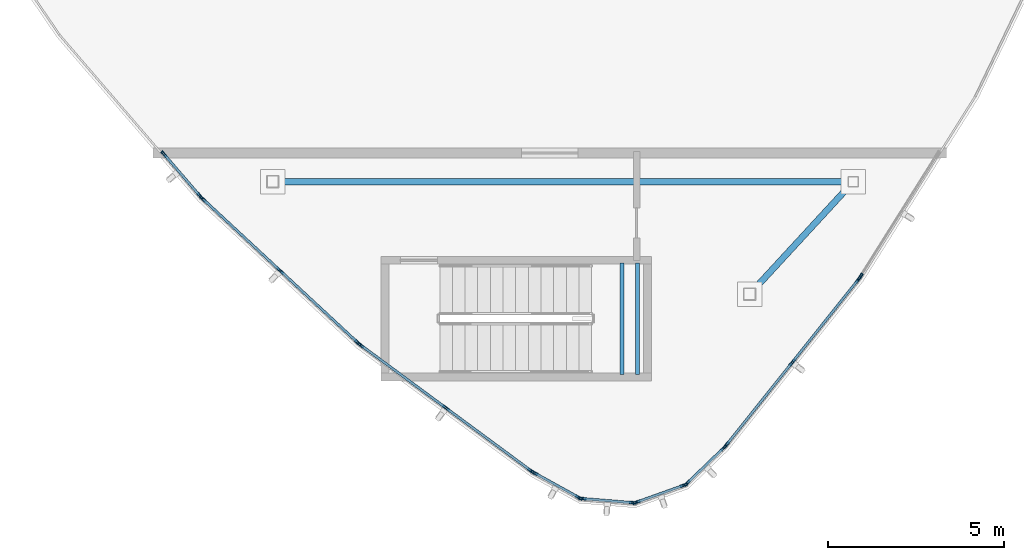
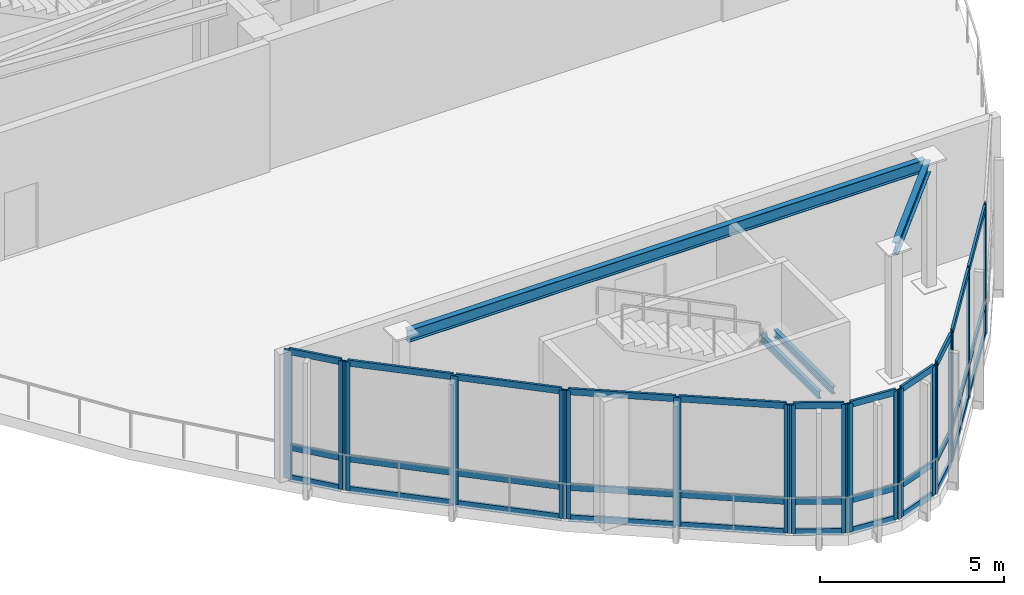
# One storey, part 2 of 16: 53 members, 4 beams, 9 elements without a shape of their own.
"""IFC4 building model written with IfcOpenShell, lengths in metres."""

import ifcopenshell
import ifcopenshell.guid

model = None  # the IFC model being written
_history = None  # IfcOwnerHistory: only IFC2X3 demands one
_inside = {}  # id of a spatial element -> (the spatial element, [elements in it])
_under = {}  # id of a project, library or spatial element -> (it, [spatial elements below it])
_declared = {}  # id of a project -> (the project, [libraries it declares])
_typed = {}  # id of a type object -> (the type object, [elements of that type])
_made_of = {}  # id of a material, layer set ... -> (it, [elements and type objects made of it])


def new_model(schema):
    """Start an empty IFC model of exactly this schema.

    Asked for "IFC4X3", IfcOpenShell would pick the latest addendum, in which some entities
    have other attributes; the version numbers below select the first issue.
    IFC2X3 requires an IfcOwnerHistory on every rooted entity: one is made here for all.
    """
    global model, _history
    if schema == "IFC4X3":
        model = ifcopenshell.file(schema_version=(4, 3, 0, 0))
    else:
        model = ifcopenshell.file(schema=schema)
    _inside.clear()
    _under.clear()
    _declared.clear()
    _typed.clear()
    _made_of.clear()
    _history = None
    if model.schema == "IFC2X3":
        org = make("IfcOrganization", Name="unknown")
        user = make(
            "IfcPersonAndOrganization",
            ThePerson=make("IfcPerson", FamilyName="unknown"),
            TheOrganization=org,
        )
        app = make(
            "IfcApplication",
            ApplicationDeveloper=org,
            Version="unknown",
            ApplicationFullName="unknown",
            ApplicationIdentifier="unknown",
        )
        _history = make(
            "IfcOwnerHistory",
            OwningUser=user,
            OwningApplication=app,
            ChangeAction="ADDED",
            CreationDate=0,
        )
    return model


def make(cls, **values):
    """One entity of the class cls with the attributes given. An attribute that is None is left unset."""
    return model.create_entity(
        cls, **{name: value for name, value in values.items() if value is not None}
    )


def rooted(cls, **values):
    """An entity with a GlobalId (a new one), such as an element, a storey or a relation."""
    return make(cls, GlobalId=ifcopenshell.guid.new(), OwnerHistory=_history, **values)


def si_unit(unit_type, name, prefix=None):
    """IfcSIUnit, for example si_unit("LENGTHUNIT", "METRE", prefix="MILLI")."""
    return make("IfcSIUnit", UnitType=unit_type, Prefix=prefix, Name=name)


def assignment(units):
    """IfcUnitAssignment: the units of a project."""
    return None if units is None else make("IfcUnitAssignment", Units=units)


def point(xyz):
    """IfcCartesianPoint."""
    return None if xyz is None else make("IfcCartesianPoint", Coordinates=xyz)


def direction(xyz):
    """IfcDirection."""
    return None if xyz is None else make("IfcDirection", DirectionRatios=xyz)


def frame(location, z_axis=None, x_axis=None):
    """IfcAxis2Placement3D, a coordinate frame: its origin and axes. An axis left out is left unset."""
    return make(
        "IfcAxis2Placement3D",
        Location=point(location),
        Axis=direction(z_axis),
        RefDirection=direction(x_axis),
    )


def frame_2d(location, x_axis=None):
    """IfcAxis2Placement2D, a coordinate frame in the plane: its origin and x axis."""
    return make(
        "IfcAxis2Placement2D", Location=point(location), RefDirection=direction(x_axis)
    )


def origin():
    """The frame at (0, 0, 0) with its axes left unset."""
    return frame((0.0, 0.0, 0.0))


def origin_2d():
    """The frame at (0, 0) in the plane with its x axis left unset."""
    return frame_2d((0.0, 0.0))


def place(relative_to, where):
    """IfcLocalPlacement: puts the frame where relative to a parent placement (None: the world)."""
    return make(
        "IfcLocalPlacement", PlacementRelTo=relative_to, RelativePlacement=where
    )


def context(
    kind, dimensions, precision=None, world=None, true_north=None, identifier=None
):
    """IfcGeometricRepresentationContext, for example the 3D "Model" context."""
    return make(
        "IfcGeometricRepresentationContext",
        ContextIdentifier=identifier,
        ContextType=kind,
        CoordinateSpaceDimension=dimensions,
        Precision=precision,
        WorldCoordinateSystem=world,
        TrueNorth=true_north,
    )


def subcontext(parent, identifier, kind, view, scale=None):
    """IfcGeometricRepresentationSubContext, for example "Body" below "Model"."""
    return make(
        "IfcGeometricRepresentationSubContext",
        ContextIdentifier=identifier,
        ContextType=kind,
        ParentContext=parent,
        TargetScale=scale,
        TargetView=view,
    )


def project(units=None, contexts=None):
    """IfcProject with its units and contexts."""
    return rooted(
        "IfcProject",
        Name="project",
        RepresentationContexts=contexts,
        UnitsInContext=assignment(units),
    )


def spatial(cls, under=None, at=None, **own):
    """A site, building, storey or space (cls), placed at a placement, below another one or the project."""
    s = rooted(cls, ObjectPlacement=at, **own)
    if under is not None:
        _under.setdefault(under.id(), (under, []))[1].append(s)
    return s


def profile(cls, at=None, kind="AREA", **sizes):
    """A parametric profile (cls). Its sizes go by their IFC names, for example OverallWidth=200.0."""
    return make(cls, ProfileType=kind, Position=at, **sizes)


def hollow_rectangle(**sizes):
    """IfcRectangleHollowProfileDef."""
    return profile("IfcRectangleHollowProfileDef", **sizes)


def i_section(**sizes):
    """IfcIShapeProfileDef."""
    return profile("IfcIShapeProfileDef", **sizes)


def extrude(swept, where, along, depth):
    """IfcExtrudedAreaSolid: the profile swept, set in the frame where, extruded along a direction by depth."""
    return make(
        "IfcExtrudedAreaSolid",
        SweptArea=swept,
        Position=where,
        ExtrudedDirection=direction(along),
        Depth=depth,
    )


def shape(context_of_items, identifier, shape_type, items):
    """IfcShapeRepresentation: the items that make up one representation, for example the "Body"."""
    return make(
        "IfcShapeRepresentation",
        ContextOfItems=context_of_items,
        RepresentationIdentifier=identifier,
        RepresentationType=shape_type,
        Items=items,
    )


def source(mapping_origin, context_of_items, identifier, shape_type, items):
    """IfcRepresentationMap: a shape defined once, which mapped items show again and again."""
    return make(
        "IfcRepresentationMap",
        MappingOrigin=mapping_origin,
        MappedRepresentation=shape(context_of_items, identifier, shape_type, items),
    )


def transform(
    local_origin,
    x_axis=None,
    y_axis=None,
    z_axis=None,
    scale=None,
    scale2=None,
    scale3=None,
    uniform=True,
):
    """IfcCartesianTransformationOperator3D, or its non-uniform kind. x_axis, y_axis, z_axis: its Axis1, 2, 3."""
    if uniform:
        return make(
            "IfcCartesianTransformationOperator3D",
            Axis1=direction(x_axis),
            Axis2=direction(y_axis),
            LocalOrigin=point(local_origin),
            Scale=scale,
            Axis3=direction(z_axis),
        )
    return make(
        "IfcCartesianTransformationOperator3DnonUniform",
        Axis1=direction(x_axis),
        Axis2=direction(y_axis),
        LocalOrigin=point(local_origin),
        Scale=scale,
        Axis3=direction(z_axis),
        Scale2=scale2,
        Scale3=scale3,
    )


def mapped(mapping_source, mapping_target):
    """IfcMappedItem: shows the shape of a source again, moved by a transform."""
    return make(
        "IfcMappedItem", MappingSource=mapping_source, MappingTarget=mapping_target
    )


def material(Name=None, Category=None):
    """IfcMaterial."""
    return make("IfcMaterial", Name=Name, Category=Category)


def layer(
    of_material, thickness, ventilated=None, Name=None, Category=None, Priority=None
):
    """IfcMaterialLayer: one layer of a wall or slab, of a material (None: an air gap)."""
    return make(
        "IfcMaterialLayer",
        Material=of_material,
        LayerThickness=thickness,
        IsVentilated=ventilated,
        Name=Name,
        Category=Category,
        Priority=Priority,
    )


def layer_set(layers, Name=None):
    """IfcMaterialLayerSet."""
    return make("IfcMaterialLayerSet", MaterialLayers=layers, LayerSetName=Name)


def material_profile(
    of_material, cross_section, Name=None, Category=None, Priority=None
):
    """IfcMaterialProfile: a cross section and its material."""
    return make(
        "IfcMaterialProfile",
        Name=Name,
        Material=of_material,
        Profile=cross_section,
        Priority=Priority,
        Category=Category,
    )


def profile_set(profiles, Name=None, composite=None):
    """IfcMaterialProfileSet."""
    return make(
        "IfcMaterialProfileSet",
        Name=Name,
        MaterialProfiles=profiles,
        CompositeProfile=composite,
    )


def made_of(thing, what):
    """Note that an element or type object is made of a material, layer set ...; save() writes the relation."""
    if what is not None:
        _made_of.setdefault(what.id(), (what, []))[1].append(thing)
    return thing


def type_object(cls, material=None, **own):
    """A type object (cls), such as IfcWallType, which elements share."""
    return made_of(rooted(cls, **own), material)


def type_shapes(of_type, sources):
    """Give a type object the sources (RepresentationMaps) that its elements show as mapped items."""
    of_type.RepresentationMaps = sources


def element(
    cls,
    number,
    at=None,
    inside=None,
    cuts=None,
    type_object=None,
    material=None,
    context=None,
    identifier="Body",
    shape_type=None,
    held_by="IfcProductDefinitionShape",
    body=None,
    shapes=None,
    **own,
):
    """One element of the class cls, such as IfcWall. Its Tag is "e" and its number.

    at: its placement. inside: the storey or other place that contains it. cuts: it is an
    opening in that element (IfcRelVoidsElement). A single representation is given by context,
    identifier, shape_type and body (its items); several are given by shapes. held_by: the class
    of the entity that holds the representations. save() writes the other relations.
    """
    e = rooted(cls, Tag="e%d" % number, ObjectPlacement=at, **own)
    if body is not None:
        shapes = [shape(context, identifier, shape_type, body)]
    if shapes is not None:
        e.Representation = make(held_by, Representations=shapes)
    if inside is not None:
        _inside.setdefault(inside.id(), (inside, []))[1].append(e)
    if cuts is not None:
        rooted(
            "IfcRelVoidsElement", RelatingBuildingElement=cuts, RelatedOpeningElement=e
        )
    if type_object is not None:
        _typed.setdefault(type_object.id(), (type_object, []))[1].append(e)
    return made_of(e, material)


def aggregate(whole, parts):
    """IfcRelAggregates: a whole, such as a stair, and the parts it consists of."""
    return rooted("IfcRelAggregates", RelatingObject=whole, RelatedObjects=parts)


def save(model, path):
    """Write the relations noted so far, then the file.

    IfcRelAggregates (storeys below a building ...), IfcRelContainedInSpatialStructure (elements
    in a storey), IfcRelDefinesByType, IfcRelAssociatesMaterial and IfcRelDeclares: one each for
    every whole, place, type object, material and project.
    """
    for whole, parts in _under.values():
        aggregate(whole, parts)
    for where, things in _inside.values():
        rooted(
            "IfcRelContainedInSpatialStructure",
            RelatedElements=things,
            RelatingStructure=where,
        )
    for kind, things in _typed.values():
        rooted("IfcRelDefinesByType", RelatedObjects=things, RelatingType=kind)
    for what, things in _made_of.values():
        rooted("IfcRelAssociatesMaterial", RelatedObjects=things, RelatingMaterial=what)
    for by, libraries in _declared.values():
        rooted("IfcRelDeclares", RelatingContext=by, RelatedDefinitions=libraries)
    model.write(path)


model = new_model("IFC4")

# Units and contexts
model_context = context("Model", 3, precision=1e-05, world=origin(), true_north=direction((0.0, 1.0)))
body_context = subcontext(model_context, "Body", "Model", "MODEL_VIEW")
ifc_project = project(units=[si_unit("LENGTHUNIT", "METRE"), si_unit("AREAUNIT", "SQUARE_METRE"), si_unit("VOLUMEUNIT", "CUBIC_METRE"), si_unit("PLANEANGLEUNIT", "RADIAN"), si_unit("MASSUNIT", "GRAM", prefix="KILO")], contexts=[model_context])

# Site, building, storey
site_placement = place(None, origin())
site = spatial("IfcSite", under=ifc_project, at=site_placement, CompositionType="ELEMENT")
building_placement = place(site_placement, origin())
building = spatial("IfcBuilding", under=site, at=building_placement, Name="Tavelor Broadcast Tower", CompositionType="ELEMENT")
storey_placement = place(building_placement, frame((0.0, 0.0, 332.10009765625)))
storey = spatial("IfcBuildingStorey", under=building, at=storey_placement, Name="L79", CompositionType="ELEMENT", Elevation=332.10009765625)

# Beams
ifc_material_1 = material(Name="Steel S355", Category="steel")
ifc_material_profile_1 = material_profile(ifc_material_1, i_section(OverallWidth=0.179931640625, OverallDepth=0.39990234375, WebThickness=0.008544921875, FlangeThickness=0.013427734375, at=origin_2d()), Name="IPE 400")
ifc_profile_set_1 = profile_set([ifc_material_profile_1], Name="Steel S355")
beam_type_1 = type_object("IfcBeamType", Name="Crown Ring Spandrel Beam IPE400", PredefinedType="SPANDREL", material=ifc_profile_set_1)
beam_1_placement = place(storey_placement, frame((52.887939453125, 27.579345703125, 4.0498046875), z_axis=(0.677758220929, 0.73528483866, 0.0), x_axis=(-0.73528483866, 0.677758220929, 0.0)))
element("IfcBeam", 1, at=beam_1_placement, inside=storey, type_object=beam_type_1, Name="L79 Crown Peak B Ring Spandrel 1", PredefinedType="SPANDREL", context=body_context, shape_type="SweptSolid", body=[
    extrude(i_section(OverallWidth=0.179931640625, OverallDepth=0.39990234375, WebThickness=0.008544921875, FlangeThickness=0.013427734375, at=origin_2d()), origin(), (0.0, 0.0, 1.0), 4.023193359375),
])
beam_2_placement = place(storey_placement, frame((55.5654296875, 30.64990234375, 4.0498046875), z_axis=(-1.0, 0.0, 0.0), x_axis=(0.0, -1.0, 0.0)))
element("IfcBeam", 2, at=beam_2_placement, inside=storey, type_object=beam_type_1, Name="L79 Crown Peak B Ring Spandrel 2", PredefinedType="SPANDREL", context=body_context, shape_type="SweptSolid", body=[
    extrude(i_section(OverallWidth=0.179931640625, OverallDepth=0.39990234375, WebThickness=0.008544921875, FlangeThickness=0.013427734375, at=origin_2d()), origin(), (0.0, 0.0, 1.0), 16.189208984375),
])
ifc_material_profile_2 = material_profile(ifc_material_1, i_section(OverallWidth=0.1201171875, OverallDepth=0.239990234375, WebThickness=0.006103515625, FlangeThickness=0.009765625, at=origin_2d()), Name="IPE 240")
ifc_profile_set_2 = profile_set([ifc_material_profile_2], Name="Steel S355")
beam_type_2 = type_object("IfcBeamType", Name="Stairwell Landing Support Trimmer Beam IPE240", PredefinedType="BEAM", material=ifc_profile_set_2)
for number, where, z_axis, x_axis, name in (
    (3, (49.135009765625, 25.159912109375, 1.98486328125), (0.0, 1.0, 0.0), (-1.0, 0.0, 0.0), "L79 Stair Landing Support Beam 491"),
    (4, (49.574951171875, 25.159912109375, 1.98486328125), (0.0, 1.0, 0.0), (-1.0, 0.0, 0.0), "L79 Stair Landing Support Beam 492"),
):
    element("IfcBeam", number, at=place(storey_placement, frame(where, z_axis=z_axis, x_axis=x_axis)), inside=storey, type_object=beam_type_2, Name=name, PredefinedType="BEAM", context=body_context, shape_type="SweptSolid", body=[
        extrude(i_section(OverallWidth=0.1201171875, OverallDepth=0.239990234375, WebThickness=0.006103515625, FlangeThickness=0.009765625, at=origin_2d()), origin(), (0.0, 0.0, 1.0), 3.18017578125),
    ])

# Curtain wall, members
ifc_material_2 = material(Name="Architectural Anodized Aluminium", Category="aluminium")
ifc_layer = layer(ifc_material_2, 0.2099609375)
ifc_layer_set = layer_set([ifc_layer], Name="Architectural Anodized Aluminium")
curtain_wall_type = type_object("IfcCurtainWallType", Name="Split-Crown Beacon Curtain Wall CW06", PredefinedType="NOTDEFINED", material=ifc_layer_set)
curtain_wall_1_placement = place(storey_placement, origin())
curtain_wall_1 = element("IfcCurtainWall", 5, at=curtain_wall_1_placement, inside=storey, type_object=curtain_wall_type, Name="L79 Curtain Wall CW06 Run 894", PredefinedType="NOTDEFINED")
ifc_material_profile_3 = material_profile(ifc_material_2, hollow_rectangle(XDim=0.072021484375, YDim=0.2099609375, WallThickness=0.02197265625, at=origin_2d()), Name="RHS 72x210x22")
ifc_profile_set_3 = profile_set([ifc_material_profile_3], Name="Architectural Anodized Aluminium")
member_type_1 = type_object("IfcMemberType", Name="CW06 Extruded Aluminium Mullion 72x210", PredefinedType="MULLION", material=ifc_profile_set_3)
shared_shape_1 = source(origin(), body_context, "Body", "SweptSolid", [
    extrude(hollow_rectangle(XDim=0.072021484375, YDim=0.2099609375, WallThickness=0.02197265625, at=origin_2d()), origin(), (0.0, 0.0, 1.0), 4.25),
])
type_shapes(member_type_1, [shared_shape_1])
member_1_placement = place(storey_placement, frame((36.103271484375, 31.4326171875, 0.0), z_axis=(0.0, 0.0, 1.0), x_axis=(0.757932063315, 0.652333494003, 0.0)))
member_1 = element("IfcMember", 6, at=member_1_placement, type_object=member_type_1, Name="CW06 mullion 1", PredefinedType="MULLION", context=body_context, shape_type="MappedRepresentation", body=[
    mapped(shared_shape_1, transform((0.0, 0.0, 0.0), scale=1.0)),
])
member_2_placement = place(storey_placement, frame((37.1318359375, 30.23779296875, 0.0), z_axis=(0.0, 0.0, 1.0), x_axis=(0.757932063315, 0.652333494003, 0.0)))
member_2 = element("IfcMember", 7, at=member_2_placement, type_object=member_type_1, Name="CW06 mullion 2", PredefinedType="MULLION", context=body_context, shape_type="MappedRepresentation", body=[
    mapped(shared_shape_1, transform((0.0, 0.0, 0.0), scale=1.0)),
])

curtain_wall_2_placement = place(storey_placement, origin())
curtain_wall_2 = element("IfcCurtainWall", 8, at=curtain_wall_2_placement, inside=storey, type_object=curtain_wall_type, Name="L79 Curtain Wall CW06 Run 895", PredefinedType="NOTDEFINED")
member_3_placement = place(storey_placement, frame((37.20263671875, 30.164306640625, 0.0), z_axis=(0.0, 0.0, 1.0), x_axis=(0.680102687639, 0.733116862626, 0.0)))
member_3 = element("IfcMember", 9, at=member_3_placement, type_object=member_type_1, Name="CW06 mullion 1", PredefinedType="MULLION", context=body_context, shape_type="MappedRepresentation", body=[
    mapped(shared_shape_1, transform((0.0, 0.0, 0.0), scale=1.0)),
])
member_4_placement = place(storey_placement, frame((39.412353515625, 28.114501953125, 0.0), z_axis=(0.0, 0.0, 1.0), x_axis=(0.680102687639, 0.733116862626, 0.0)))
member_4 = element("IfcMember", 10, at=member_4_placement, type_object=member_type_1, Name="CW06 mullion 2", PredefinedType="MULLION", context=body_context, shape_type="MappedRepresentation", body=[
    mapped(shared_shape_1, transform((0.0, 0.0, 0.0), scale=1.0)),
])
member_5_placement = place(storey_placement, frame((41.6220703125, 26.064453125, 0.0), z_axis=(0.0, 0.0, 1.0), x_axis=(0.680102687639, 0.733116862626, 0.0)))
member_5 = element("IfcMember", 11, at=member_5_placement, type_object=member_type_1, Name="CW06 mullion 3", PredefinedType="MULLION", context=body_context, shape_type="MappedRepresentation", body=[
    mapped(shared_shape_1, transform((0.0, 0.0, 0.0), scale=1.0)),
])

curtain_wall_3_placement = place(storey_placement, origin())
curtain_wall_3 = element("IfcCurtainWall", 12, at=curtain_wall_3_placement, inside=storey, type_object=curtain_wall_type, Name="L79 Curtain Wall CW06 Run 896", PredefinedType="NOTDEFINED")
member_6_placement = place(storey_placement, frame((41.700439453125, 25.99951171875, 0.0), z_axis=(0.0, 0.0, 1.0), x_axis=(0.593701165869, 0.80468560671, 0.0)))
member_6 = element("IfcMember", 13, at=member_6_placement, type_object=member_type_1, Name="CW06 mullion 1", PredefinedType="MULLION", context=body_context, shape_type="MappedRepresentation", body=[
    mapped(shared_shape_1, transform((0.0, 0.0, 0.0), scale=1.0)),
])
member_7_placement = place(storey_placement, frame((44.125244140625, 24.21044921875, 0.0), z_axis=(0.0, 0.0, 1.0), x_axis=(0.593701165869, 0.80468560671, 0.0)))
member_7 = element("IfcMember", 14, at=member_7_placement, type_object=member_type_1, Name="CW06 mullion 2", PredefinedType="MULLION", context=body_context, shape_type="MappedRepresentation", body=[
    mapped(shared_shape_1, transform((0.0, 0.0, 0.0), scale=1.0)),
])
member_8_placement = place(storey_placement, frame((46.55029296875, 22.42138671875, 0.0), z_axis=(0.0, 0.0, 1.0), x_axis=(0.593701165869, 0.80468560671, 0.0)))
member_8 = element("IfcMember", 15, at=member_8_placement, type_object=member_type_1, Name="CW06 mullion 3", PredefinedType="MULLION", context=body_context, shape_type="MappedRepresentation", body=[
    mapped(shared_shape_1, transform((0.0, 0.0, 0.0), scale=1.0)),
])

curtain_wall_4_placement = place(storey_placement, origin())
curtain_wall_4 = element("IfcCurtainWall", 16, at=curtain_wall_4_placement, inside=storey, type_object=curtain_wall_type, Name="L79 Curtain Wall CW06 Run 897", PredefinedType="NOTDEFINED")
member_9_placement = place(storey_placement, frame((46.635986328125, 22.3662109375, 0.0), z_axis=(0.0, 0.0, 1.0), x_axis=(0.484000738847, 0.875067588701, 0.0)))
member_9 = element("IfcMember", 17, at=member_9_placement, type_object=member_type_1, Name="CW06 mullion 1", PredefinedType="MULLION", context=body_context, shape_type="MappedRepresentation", body=[
    mapped(shared_shape_1, transform((0.0, 0.0, 0.0), scale=1.0)),
])
member_10_placement = place(storey_placement, frame((47.912841796875, 21.659912109375, 0.0), z_axis=(0.0, 0.0, 1.0), x_axis=(0.484000738847, 0.875067588701, 0.0)))
member_10 = element("IfcMember", 18, at=member_10_placement, type_object=member_type_1, Name="CW06 mullion 2", PredefinedType="MULLION", context=body_context, shape_type="MappedRepresentation", body=[
    mapped(shared_shape_1, transform((0.0, 0.0, 0.0), scale=1.0)),
])

curtain_wall_5_placement = place(storey_placement, origin())
curtain_wall_5 = element("IfcCurtainWall", 19, at=curtain_wall_5_placement, inside=storey, type_object=curtain_wall_type, Name="L79 Curtain Wall CW06 Run 898", PredefinedType="NOTDEFINED")
member_11_placement = place(storey_placement, frame((48.00830078125, 21.631103515625, 0.0), z_axis=(0.0, 0.0, 1.0), x_axis=(0.081045211043, 0.996710426236, 0.0)))
member_11 = element("IfcMember", 20, at=member_11_placement, type_object=member_type_1, Name="CW06 mullion 1", PredefinedType="MULLION", context=body_context, shape_type="MappedRepresentation", body=[
    mapped(shared_shape_1, transform((0.0, 0.0, 0.0), scale=1.0)),
])
member_12_placement = place(storey_placement, frame((49.441650390625, 21.5146484375, 0.0), z_axis=(0.0, 0.0, 1.0), x_axis=(0.081045211043, 0.996710426236, 0.0)))
member_12 = element("IfcMember", 21, at=member_12_placement, type_object=member_type_1, Name="CW06 mullion 2", PredefinedType="MULLION", context=body_context, shape_type="MappedRepresentation", body=[
    mapped(shared_shape_1, transform((0.0, 0.0, 0.0), scale=1.0)),
])

curtain_wall_6_placement = place(storey_placement, origin())
curtain_wall_6 = element("IfcCurtainWall", 22, at=curtain_wall_6_placement, inside=storey, type_object=curtain_wall_type, Name="L79 Curtain Wall CW06 Run 899", PredefinedType="NOTDEFINED")
member_13_placement = place(storey_placement, frame((49.54052734375, 21.527587890625, 0.0), z_axis=(0.0, 0.0, 1.0), x_axis=(-0.336319617795, 0.941747903999, 0.0)))
member_13 = element("IfcMember", 23, at=member_13_placement, type_object=member_type_1, Name="CW06 mullion 1", PredefinedType="MULLION", context=body_context, shape_type="MappedRepresentation", body=[
    mapped(shared_shape_1, transform((0.0, 0.0, 0.0), scale=1.0)),
])
member_14_placement = place(storey_placement, frame((50.894775390625, 22.01123046875, 0.0), z_axis=(0.0, 0.0, 1.0), x_axis=(-0.336319617795, 0.941747903999, 0.0)))
member_14 = element("IfcMember", 24, at=member_14_placement, type_object=member_type_1, Name="CW06 mullion 2", PredefinedType="MULLION", context=body_context, shape_type="MappedRepresentation", body=[
    mapped(shared_shape_1, transform((0.0, 0.0, 0.0), scale=1.0)),
])

curtain_wall_7_placement = place(storey_placement, origin())
curtain_wall_7 = element("IfcCurtainWall", 25, at=curtain_wall_7_placement, inside=storey, type_object=curtain_wall_type, Name="L79 Curtain Wall CW06 Run 900", PredefinedType="NOTDEFINED")
member_15_placement = place(storey_placement, frame((50.979736328125, 22.063720703125, 0.0), z_axis=(0.0, 0.0, 1.0), x_axis=(-0.693957885319, 0.720015592472, 0.0)))
member_15 = element("IfcMember", 26, at=member_15_placement, type_object=member_type_1, Name="CW06 mullion 1", PredefinedType="MULLION", context=body_context, shape_type="MappedRepresentation", body=[
    mapped(shared_shape_1, transform((0.0, 0.0, 0.0), scale=1.0)),
])
member_16_placement = place(storey_placement, frame((52.0302734375, 23.076416015625, 0.0), z_axis=(0.0, 0.0, 1.0), x_axis=(-0.693957885319, 0.720015592472, 0.0)))
member_16 = element("IfcMember", 27, at=member_16_placement, type_object=member_type_1, Name="CW06 mullion 2", PredefinedType="MULLION", context=body_context, shape_type="MappedRepresentation", body=[
    mapped(shared_shape_1, transform((0.0, 0.0, 0.0), scale=1.0)),
])

curtain_wall_8_placement = place(storey_placement, origin())
curtain_wall_8 = element("IfcCurtainWall", 28, at=curtain_wall_8_placement, inside=storey, type_object=curtain_wall_type, Name="L79 Curtain Wall CW06 Run 901", PredefinedType="NOTDEFINED")
member_17_placement = place(storey_placement, frame((52.0986328125, 23.15185546875, 0.0), z_axis=(0.0, 0.0, 1.0), x_axis=(-0.781735053161, 0.623610701207, 0.0)))
member_17 = element("IfcMember", 29, at=member_17_placement, type_object=member_type_1, Name="CW06 mullion 1", PredefinedType="MULLION", context=body_context, shape_type="MappedRepresentation", body=[
    mapped(shared_shape_1, transform((0.0, 0.0, 0.0), scale=1.0)),
])
member_18_placement = place(storey_placement, frame((53.97802734375, 25.507568359375, 0.0), z_axis=(0.0, 0.0, 1.0), x_axis=(-0.781735053161, 0.623610701207, 0.0)))
member_18 = element("IfcMember", 30, at=member_18_placement, type_object=member_type_1, Name="CW06 mullion 2", PredefinedType="MULLION", context=body_context, shape_type="MappedRepresentation", body=[
    mapped(shared_shape_1, transform((0.0, 0.0, 0.0), scale=1.0)),
])
member_19_placement = place(storey_placement, frame((55.857177734375, 27.86328125, 0.0), z_axis=(0.0, 0.0, 1.0), x_axis=(-0.781735053161, 0.623610701207, 0.0)))
member_19 = element("IfcMember", 31, at=member_19_placement, type_object=member_type_1, Name="CW06 mullion 3", PredefinedType="MULLION", context=body_context, shape_type="MappedRepresentation", body=[
    mapped(shared_shape_1, transform((0.0, 0.0, 0.0), scale=1.0)),
])

# Curtain wall, member
curtain_wall_9_placement = place(storey_placement, origin())
curtain_wall_9 = element("IfcCurtainWall", 32, at=curtain_wall_9_placement, inside=storey, type_object=curtain_wall_type, Name="L79 Curtain Wall CW06 Run 902", PredefinedType="NOTDEFINED")
member_20_placement = place(storey_placement, frame((55.916259765625, 27.9462890625, 0.0), z_axis=(0.0, 0.0, 1.0), x_axis=(-0.84667099094, 0.532116747623, 0.0)))
member_20 = element("IfcMember", 33, at=member_20_placement, type_object=member_type_1, Name="CW06 mullion 1", PredefinedType="MULLION", context=body_context, shape_type="MappedRepresentation", body=[
    mapped(shared_shape_1, transform((0.0, 0.0, 0.0), scale=1.0)),
])
aggregate(curtain_wall_9, [member_20])

# Member
ifc_material_profile_4 = material_profile(ifc_material_2, hollow_rectangle(XDim=0.072021484375, YDim=0.2099609375, WallThickness=0.02197265625, at=origin_2d()), Name="RHS 72x210x22")
ifc_profile_set_4 = profile_set([ifc_material_profile_4], Name="Architectural Anodized Aluminium")
member_type_2 = type_object("IfcMemberType", Name="CW06 Extruded Aluminium Transom 72x210", PredefinedType="USERDEFINED", material=ifc_profile_set_4)
shared_shape_2 = source(origin(), body_context, "Body", "SweptSolid", [
    extrude(hollow_rectangle(XDim=0.072021484375, YDim=0.2099609375, WallThickness=0.02197265625, at=origin_2d()), origin(), (0.0, 0.0, 1.0), 1.38720703125),
])
member_21_placement = place(storey_placement, frame((46.66748046875, 22.348876953125, 0.035888671875), z_axis=(0.875068934996, -0.483998304754, 0.0), x_axis=(0.483998304754, 0.875068934996, 0.0)))
member_21 = element("IfcMember", 34, at=member_21_placement, type_object=member_type_2, Name="CW06 transom 1.1", ObjectType="TRANSOM", PredefinedType="USERDEFINED", context=body_context, shape_type="MappedRepresentation", body=[
    mapped(shared_shape_2, transform((0.0, 0.0, 0.0), scale=1.0)),
])

member_22_placement = place(storey_placement, frame((46.66748046875, 22.348876953125, 1.0498046875), z_axis=(0.875068934996, -0.483998304754, 0.0), x_axis=(0.483998304754, 0.875068934996, 0.0)))
member_22 = element("IfcMember", 35, at=member_22_placement, type_object=member_type_2, Name="CW06 transom 1.2", ObjectType="TRANSOM", PredefinedType="USERDEFINED", context=body_context, shape_type="MappedRepresentation", body=[
    mapped(shared_shape_2, transform((0.0, 0.0, 0.0), scale=1.0)),
])

member_23_placement = place(storey_placement, frame((46.66748046875, 22.348876953125, 4.2138671875), z_axis=(0.875068934996, -0.483998304754, 0.0), x_axis=(0.483998304754, 0.875068934996, 0.0)))
member_23 = element("IfcMember", 36, at=member_23_placement, type_object=member_type_2, Name="CW06 transom 1.3", ObjectType="TRANSOM", PredefinedType="USERDEFINED", context=body_context, shape_type="MappedRepresentation", body=[
    mapped(shared_shape_2, transform((0.0, 0.0, 0.0), scale=1.0)),
])

aggregate(curtain_wall_4, [member_9, member_10, member_21, member_22, member_23])

member_24_placement = place(storey_placement, frame((51.005615234375, 22.0888671875, 0.035888671875), z_axis=(0.72001073484, 0.693962925318, 0.0), x_axis=(-0.693962925318, 0.72001073484, 0.0)))
member_24 = element("IfcMember", 37, at=member_24_placement, type_object=member_type_2, Name="CW06 transom 1.1", ObjectType="TRANSOM", PredefinedType="USERDEFINED", context=body_context, shape_type="MappedRepresentation", body=[
    mapped(shared_shape_2, transform((0.0, 0.0, 0.0), scale=1.0)),
])

member_25_placement = place(storey_placement, frame((51.005615234375, 22.0888671875, 1.0498046875), z_axis=(0.72001073484, 0.693962925318, 0.0), x_axis=(-0.693962925318, 0.72001073484, 0.0)))
member_25 = element("IfcMember", 38, at=member_25_placement, type_object=member_type_2, Name="CW06 transom 1.2", ObjectType="TRANSOM", PredefinedType="USERDEFINED", context=body_context, shape_type="MappedRepresentation", body=[
    mapped(shared_shape_2, transform((0.0, 0.0, 0.0), scale=1.0)),
])

member_26_placement = place(storey_placement, frame((51.005615234375, 22.0888671875, 4.2138671875), z_axis=(0.72001073484, 0.693962925318, 0.0), x_axis=(-0.693962925318, 0.72001073484, 0.0)))
member_26 = element("IfcMember", 39, at=member_26_placement, type_object=member_type_2, Name="CW06 transom 1.3", ObjectType="TRANSOM", PredefinedType="USERDEFINED", context=body_context, shape_type="MappedRepresentation", body=[
    mapped(shared_shape_2, transform((0.0, 0.0, 0.0), scale=1.0)),
])

aggregate(curtain_wall_7, [member_15, member_16, member_24, member_25, member_26])

shared_shape_3 = source(origin(), body_context, "Body", "SweptSolid", [
    extrude(hollow_rectangle(XDim=0.072021484375, YDim=0.2099609375, WallThickness=0.02197265625, at=origin_2d()), origin(), (0.0, 0.0, 1.0), 1.3662109375),
])
member_27_placement = place(storey_placement, frame((48.0439453125, 21.628173828125, 0.035888671875), z_axis=(0.996718536298, -0.080945409993, 0.0), x_axis=(0.080945409993, 0.996718536298, 0.0)))
member_27 = element("IfcMember", 40, at=member_27_placement, type_object=member_type_2, Name="CW06 transom 1.1", ObjectType="TRANSOM", PredefinedType="USERDEFINED", context=body_context, shape_type="MappedRepresentation", body=[
    mapped(shared_shape_3, transform((0.0, 0.0, 0.0), scale=1.0)),
])

member_28_placement = place(storey_placement, frame((48.0439453125, 21.628173828125, 1.0498046875), z_axis=(0.996718536298, -0.080945409993, 0.0), x_axis=(0.080945409993, 0.996718536298, 0.0)))
member_28 = element("IfcMember", 41, at=member_28_placement, type_object=member_type_2, Name="CW06 transom 1.2", ObjectType="TRANSOM", PredefinedType="USERDEFINED", context=body_context, shape_type="MappedRepresentation", body=[
    mapped(shared_shape_3, transform((0.0, 0.0, 0.0), scale=1.0)),
])

member_29_placement = place(storey_placement, frame((48.0439453125, 21.628173828125, 4.2138671875), z_axis=(0.996718536298, -0.080945409993, 0.0), x_axis=(0.080945409993, 0.996718536298, 0.0)))
member_29 = element("IfcMember", 42, at=member_29_placement, type_object=member_type_2, Name="CW06 transom 1.3", ObjectType="TRANSOM", PredefinedType="USERDEFINED", context=body_context, shape_type="MappedRepresentation", body=[
    mapped(shared_shape_3, transform((0.0, 0.0, 0.0), scale=1.0)),
])

aggregate(curtain_wall_5, [member_11, member_12, member_27, member_28, member_29])

member_30_placement = place(storey_placement, frame((49.574462890625, 21.539794921875, 0.035888671875), z_axis=(0.941749997304, 0.336313756153, 0.0), x_axis=(-0.336313756153, 0.941749997304, 0.0)))
member_30 = element("IfcMember", 43, at=member_30_placement, type_object=member_type_2, Name="CW06 transom 1.1", ObjectType="TRANSOM", PredefinedType="USERDEFINED", context=body_context, shape_type="MappedRepresentation", body=[
    mapped(shared_shape_3, transform((0.0, 0.0, 0.0), scale=1.0)),
])

member_31_placement = place(storey_placement, frame((49.574462890625, 21.539794921875, 1.0498046875), z_axis=(0.941749997304, 0.336313756153, 0.0), x_axis=(-0.336313756153, 0.941749997304, 0.0)))
member_31 = element("IfcMember", 44, at=member_31_placement, type_object=member_type_2, Name="CW06 transom 1.2", ObjectType="TRANSOM", PredefinedType="USERDEFINED", context=body_context, shape_type="MappedRepresentation", body=[
    mapped(shared_shape_3, transform((0.0, 0.0, 0.0), scale=1.0)),
])

member_32_placement = place(storey_placement, frame((49.574462890625, 21.539794921875, 4.2138671875), z_axis=(0.941749997304, 0.336313756153, 0.0), x_axis=(-0.336313756153, 0.941749997304, 0.0)))
member_32 = element("IfcMember", 45, at=member_32_placement, type_object=member_type_2, Name="CW06 transom 1.3", ObjectType="TRANSOM", PredefinedType="USERDEFINED", context=body_context, shape_type="MappedRepresentation", body=[
    mapped(shared_shape_3, transform((0.0, 0.0, 0.0), scale=1.0)),
])

aggregate(curtain_wall_6, [member_13, member_14, member_30, member_31, member_32])

shared_shape_4 = source(origin(), body_context, "Body", "SweptSolid", [
    extrude(hollow_rectangle(XDim=0.072021484375, YDim=0.2099609375, WallThickness=0.02197265625, at=origin_2d()), origin(), (0.0, 0.0, 1.0), 2.94140625),
])
member_33_placement = place(storey_placement, frame((44.154296875, 24.18896484375, 0.035888671875), z_axis=(0.804686427585, -0.593700053276, 0.0), x_axis=(0.593700053276, 0.804686427585, 0.0)))
member_33 = element("IfcMember", 46, at=member_33_placement, type_object=member_type_2, Name="CW06 transom 2.1", ObjectType="TRANSOM", PredefinedType="USERDEFINED", context=body_context, shape_type="MappedRepresentation", body=[
    mapped(shared_shape_4, transform((0.0, 0.0, 0.0), scale=1.0)),
])

member_34_placement = place(storey_placement, frame((44.154296875, 24.18896484375, 1.0498046875), z_axis=(0.804686427585, -0.593700053276, 0.0), x_axis=(0.593700053276, 0.804686427585, 0.0)))
member_34 = element("IfcMember", 47, at=member_34_placement, type_object=member_type_2, Name="CW06 transom 2.2", ObjectType="TRANSOM", PredefinedType="USERDEFINED", context=body_context, shape_type="MappedRepresentation", body=[
    mapped(shared_shape_4, transform((0.0, 0.0, 0.0), scale=1.0)),
])

member_35_placement = place(storey_placement, frame((44.154296875, 24.18896484375, 4.2138671875), z_axis=(0.804686427585, -0.593700053276, 0.0), x_axis=(0.593700053276, 0.804686427585, 0.0)))
member_35 = element("IfcMember", 48, at=member_35_placement, type_object=member_type_2, Name="CW06 transom 2.3", ObjectType="TRANSOM", PredefinedType="USERDEFINED", context=body_context, shape_type="MappedRepresentation", body=[
    mapped(shared_shape_4, transform((0.0, 0.0, 0.0), scale=1.0)),
])

member_36_placement = place(storey_placement, frame((52.12109375, 23.179931640625, 0.035888671875), z_axis=(0.623662062404, 0.781694078216, 0.0), x_axis=(-0.781694078216, 0.623662062404, 0.0)))
member_36 = element("IfcMember", 49, at=member_36_placement, type_object=member_type_2, Name="CW06 transom 1.1", ObjectType="TRANSOM", PredefinedType="USERDEFINED", context=body_context, shape_type="MappedRepresentation", body=[
    mapped(shared_shape_4, transform((0.0, 0.0, 0.0), scale=1.0)),
])

member_37_placement = place(storey_placement, frame((52.12109375, 23.179931640625, 1.0498046875), z_axis=(0.623662062404, 0.781694078216, 0.0), x_axis=(-0.781694078216, 0.623662062404, 0.0)))
member_37 = element("IfcMember", 50, at=member_37_placement, type_object=member_type_2, Name="CW06 transom 1.2", ObjectType="TRANSOM", PredefinedType="USERDEFINED", context=body_context, shape_type="MappedRepresentation", body=[
    mapped(shared_shape_4, transform((0.0, 0.0, 0.0), scale=1.0)),
])

member_38_placement = place(storey_placement, frame((52.12109375, 23.179931640625, 4.2138671875), z_axis=(0.623662062404, 0.781694078216, 0.0), x_axis=(-0.781694078216, 0.623662062404, 0.0)))
member_38 = element("IfcMember", 51, at=member_38_placement, type_object=member_type_2, Name="CW06 transom 1.3", ObjectType="TRANSOM", PredefinedType="USERDEFINED", context=body_context, shape_type="MappedRepresentation", body=[
    mapped(shared_shape_4, transform((0.0, 0.0, 0.0), scale=1.0)),
])

member_39_placement = place(storey_placement, frame((54.00048828125, 25.53564453125, 0.035888671875), z_axis=(0.623570878987, 0.781766818738, 0.0), x_axis=(-0.781766818738, 0.623570878987, 0.0)))
member_39 = element("IfcMember", 52, at=member_39_placement, type_object=member_type_2, Name="CW06 transom 2.1", ObjectType="TRANSOM", PredefinedType="USERDEFINED", context=body_context, shape_type="MappedRepresentation", body=[
    mapped(shared_shape_4, transform((0.0, 0.0, 0.0), scale=1.0)),
])

member_40_placement = place(storey_placement, frame((54.00048828125, 25.53564453125, 1.0498046875), z_axis=(0.623570878987, 0.781766818738, 0.0), x_axis=(-0.781766818738, 0.623570878987, 0.0)))
member_40 = element("IfcMember", 53, at=member_40_placement, type_object=member_type_2, Name="CW06 transom 2.2", ObjectType="TRANSOM", PredefinedType="USERDEFINED", context=body_context, shape_type="MappedRepresentation", body=[
    mapped(shared_shape_4, transform((0.0, 0.0, 0.0), scale=1.0)),
])

member_41_placement = place(storey_placement, frame((54.00048828125, 25.53564453125, 4.2138671875), z_axis=(0.623570878987, 0.781766818738, 0.0), x_axis=(-0.781766818738, 0.623570878987, 0.0)))
member_41 = element("IfcMember", 54, at=member_41_placement, type_object=member_type_2, Name="CW06 transom 2.3", ObjectType="TRANSOM", PredefinedType="USERDEFINED", context=body_context, shape_type="MappedRepresentation", body=[
    mapped(shared_shape_4, transform((0.0, 0.0, 0.0), scale=1.0)),
])

aggregate(curtain_wall_8, [member_17, member_18, member_19, member_36, member_37, member_38, member_39, member_40, member_41])

shared_shape_5 = source(origin(), body_context, "Body", "SweptSolid", [
    extrude(hollow_rectangle(XDim=0.072021484375, YDim=0.2099609375, WallThickness=0.02197265625, at=origin_2d()), origin(), (0.0, 0.0, 1.0), 2.94189453125),
])
member_42_placement = place(storey_placement, frame((41.729248046875, 25.978271484375, 0.035888671875), z_axis=(0.804676031852, -0.593714143138, 0.0), x_axis=(0.593714143138, 0.804676031852, 0.0)))
member_42 = element("IfcMember", 55, at=member_42_placement, type_object=member_type_2, Name="CW06 transom 1.1", ObjectType="TRANSOM", PredefinedType="USERDEFINED", context=body_context, shape_type="MappedRepresentation", body=[
    mapped(shared_shape_5, transform((0.0, 0.0, 0.0), scale=1.0)),
])

member_43_placement = place(storey_placement, frame((41.729248046875, 25.978271484375, 1.0498046875), z_axis=(0.804676031852, -0.593714143138, 0.0), x_axis=(0.593714143138, 0.804676031852, 0.0)))
member_43 = element("IfcMember", 56, at=member_43_placement, type_object=member_type_2, Name="CW06 transom 1.2", ObjectType="TRANSOM", PredefinedType="USERDEFINED", context=body_context, shape_type="MappedRepresentation", body=[
    mapped(shared_shape_5, transform((0.0, 0.0, 0.0), scale=1.0)),
])

member_44_placement = place(storey_placement, frame((41.729248046875, 25.978271484375, 4.2138671875), z_axis=(0.804676031852, -0.593714143138, 0.0), x_axis=(0.593714143138, 0.804676031852, 0.0)))
member_44 = element("IfcMember", 57, at=member_44_placement, type_object=member_type_2, Name="CW06 transom 1.3", ObjectType="TRANSOM", PredefinedType="USERDEFINED", context=body_context, shape_type="MappedRepresentation", body=[
    mapped(shared_shape_5, transform((0.0, 0.0, 0.0), scale=1.0)),
])

aggregate(curtain_wall_3, [member_6, member_7, member_8, member_42, member_43, member_44, member_33, member_34, member_35])

shared_shape_6 = source(origin(), body_context, "Body", "SweptSolid", [
    extrude(hollow_rectangle(XDim=0.072021484375, YDim=0.2099609375, WallThickness=0.02197265625, at=origin_2d()), origin(), (0.0, 0.0, 1.0), 2.942138671875),
])
member_45_placement = place(storey_placement, frame((37.22900390625, 30.139892578125, 0.035888671875), z_axis=(0.733121458581, -0.680097733394, 0.0), x_axis=(0.680097733394, 0.733121458581, 0.0)))
member_45 = element("IfcMember", 58, at=member_45_placement, type_object=member_type_2, Name="CW06 transom 1.1", ObjectType="TRANSOM", PredefinedType="USERDEFINED", context=body_context, shape_type="MappedRepresentation", body=[
    mapped(shared_shape_6, transform((0.0, 0.0, 0.0), scale=1.0)),
])

member_46_placement = place(storey_placement, frame((37.22900390625, 30.139892578125, 1.0498046875), z_axis=(0.733121458581, -0.680097733394, 0.0), x_axis=(0.680097733394, 0.733121458581, 0.0)))
member_46 = element("IfcMember", 59, at=member_46_placement, type_object=member_type_2, Name="CW06 transom 1.2", ObjectType="TRANSOM", PredefinedType="USERDEFINED", context=body_context, shape_type="MappedRepresentation", body=[
    mapped(shared_shape_6, transform((0.0, 0.0, 0.0), scale=1.0)),
])

member_47_placement = place(storey_placement, frame((37.22900390625, 30.139892578125, 4.2138671875), z_axis=(0.733121458581, -0.680097733394, 0.0), x_axis=(0.680097733394, 0.733121458581, 0.0)))
member_47 = element("IfcMember", 60, at=member_47_placement, type_object=member_type_2, Name="CW06 transom 1.3", ObjectType="TRANSOM", PredefinedType="USERDEFINED", context=body_context, shape_type="MappedRepresentation", body=[
    mapped(shared_shape_6, transform((0.0, 0.0, 0.0), scale=1.0)),
])

member_48_placement = place(storey_placement, frame((39.438720703125, 28.08984375, 0.035888671875), z_axis=(0.733121458581, -0.680097733394, 0.0), x_axis=(0.680097733394, 0.733121458581, 0.0)))
member_48 = element("IfcMember", 61, at=member_48_placement, type_object=member_type_2, Name="CW06 transom 2.1", ObjectType="TRANSOM", PredefinedType="USERDEFINED", context=body_context, shape_type="MappedRepresentation", body=[
    mapped(shared_shape_6, transform((0.0, 0.0, 0.0), scale=1.0)),
])

member_49_placement = place(storey_placement, frame((39.438720703125, 28.08984375, 1.0498046875), z_axis=(0.733121458581, -0.680097733394, 0.0), x_axis=(0.680097733394, 0.733121458581, 0.0)))
member_49 = element("IfcMember", 62, at=member_49_placement, type_object=member_type_2, Name="CW06 transom 2.2", ObjectType="TRANSOM", PredefinedType="USERDEFINED", context=body_context, shape_type="MappedRepresentation", body=[
    mapped(shared_shape_6, transform((0.0, 0.0, 0.0), scale=1.0)),
])

member_50_placement = place(storey_placement, frame((39.438720703125, 28.08984375, 4.2138671875), z_axis=(0.733121458581, -0.680097733394, 0.0), x_axis=(0.680097733394, 0.733121458581, 0.0)))
member_50 = element("IfcMember", 63, at=member_50_placement, type_object=member_type_2, Name="CW06 transom 2.3", ObjectType="TRANSOM", PredefinedType="USERDEFINED", context=body_context, shape_type="MappedRepresentation", body=[
    mapped(shared_shape_6, transform((0.0, 0.0, 0.0), scale=1.0)),
])

aggregate(curtain_wall_2, [member_3, member_4, member_5, member_45, member_46, member_47, member_48, member_49, member_50])

shared_shape_7 = source(origin(), body_context, "Body", "SweptSolid", [
    extrude(hollow_rectangle(XDim=0.072021484375, YDim=0.2099609375, WallThickness=0.02197265625, at=origin_2d()), origin(), (0.0, 0.0, 1.0), 1.504638671875),
])
type_shapes(member_type_2, [shared_shape_2, shared_shape_3, shared_shape_4, shared_shape_5, shared_shape_6, shared_shape_7])
member_51_placement = place(storey_placement, frame((36.126953125, 31.405517578125, 0.035888671875), z_axis=(0.652233242607, -0.758018335687, 0.0), x_axis=(0.758018335687, 0.652233242607, 0.0)))
member_51 = element("IfcMember", 64, at=member_51_placement, type_object=member_type_2, Name="CW06 transom 1.1", ObjectType="TRANSOM", PredefinedType="USERDEFINED", context=body_context, shape_type="MappedRepresentation", body=[
    mapped(shared_shape_7, transform((0.0, 0.0, 0.0), scale=1.0)),
])

member_52_placement = place(storey_placement, frame((36.126953125, 31.405517578125, 1.0498046875), z_axis=(0.652233242607, -0.758018335687, 0.0), x_axis=(0.758018335687, 0.652233242607, 0.0)))
member_52 = element("IfcMember", 65, at=member_52_placement, type_object=member_type_2, Name="CW06 transom 1.2", ObjectType="TRANSOM", PredefinedType="USERDEFINED", context=body_context, shape_type="MappedRepresentation", body=[
    mapped(shared_shape_7, transform((0.0, 0.0, 0.0), scale=1.0)),
])

member_53_placement = place(storey_placement, frame((36.126953125, 31.405517578125, 4.2138671875), z_axis=(0.652233242607, -0.758018335687, 0.0), x_axis=(0.758018335687, 0.652233242607, 0.0)))
member_53 = element("IfcMember", 66, at=member_53_placement, type_object=member_type_2, Name="CW06 transom 1.3", ObjectType="TRANSOM", PredefinedType="USERDEFINED", context=body_context, shape_type="MappedRepresentation", body=[
    mapped(shared_shape_7, transform((0.0, 0.0, 0.0), scale=1.0)),
])

aggregate(curtain_wall_1, [member_1, member_2, member_51, member_52, member_53])

save(model, "model.ifc")
